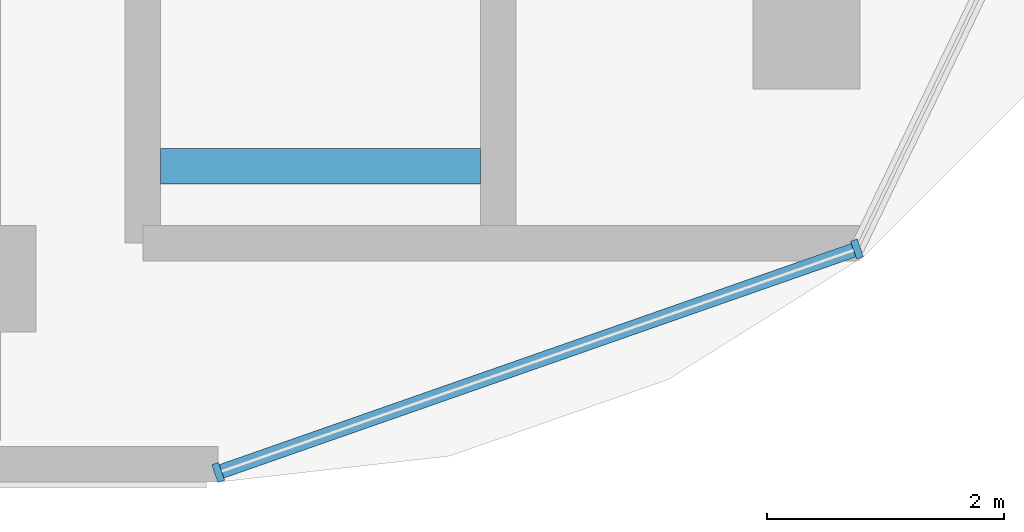
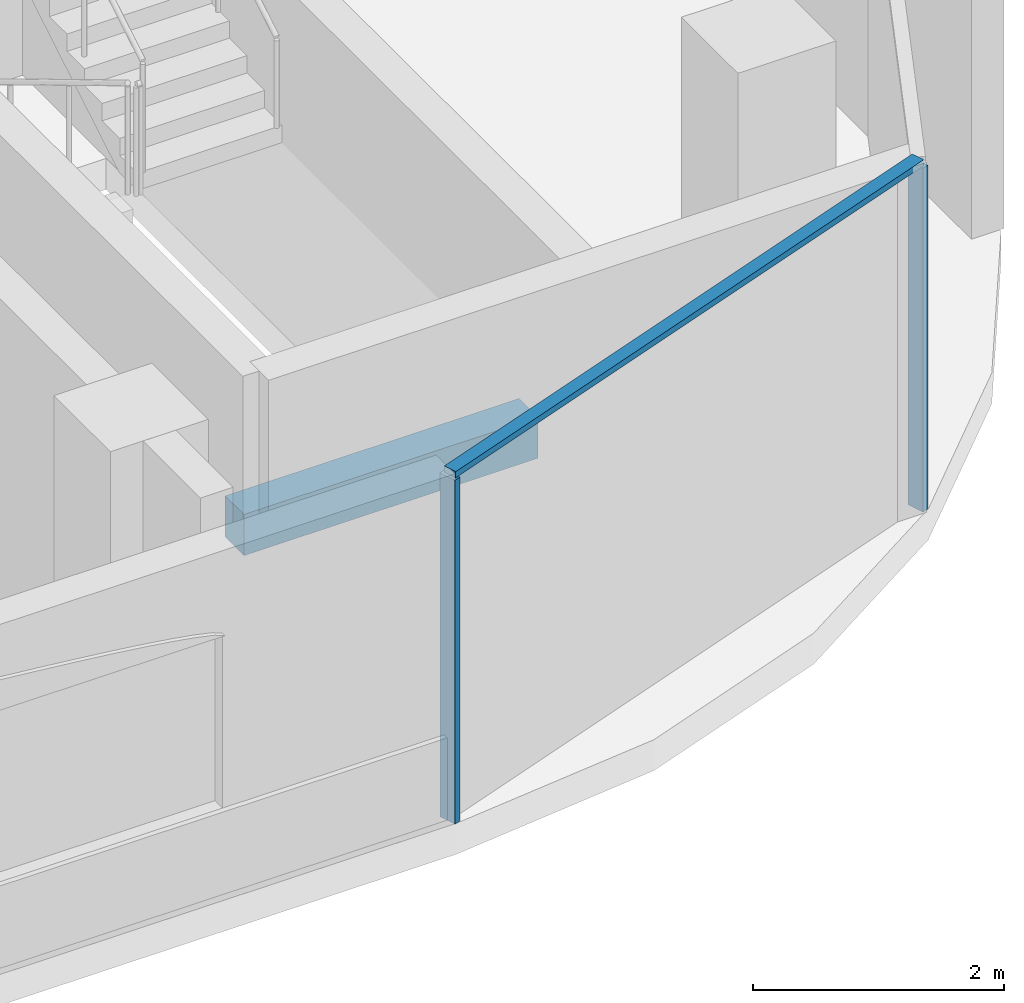
# One storey, part 3 of 19: 3 members, 1 beam, 1 element without a shape of its own.
"""IFC4 building model written with IfcOpenShell, lengths in metres."""

from ifc_helpers import new_model, si_unit, direction, frame, origin, origin_2d, place, context, subcontext, project, spatial, rectangle, extrude, material, material_profile, profile_set, type_object, element, aggregate, save


model = new_model("IFC4")

# Units and contexts
model_context = context("Model", 3, precision=1e-05, world=origin(), true_north=direction((0.0, 1.0)))
body_context = subcontext(model_context, "Body", "Model", "MODEL_VIEW")
ifc_project = project(units=[si_unit("LENGTHUNIT", "METRE"), si_unit("AREAUNIT", "SQUARE_METRE"), si_unit("VOLUMEUNIT", "CUBIC_METRE"), si_unit("PLANEANGLEUNIT", "RADIAN"), si_unit("MASSUNIT", "GRAM", prefix="KILO")], contexts=[model_context])

# Site, building, storey
site_placement = place(None, origin())
site = spatial("IfcSite", under=ifc_project, at=site_placement, CompositionType="ELEMENT")
building_placement = place(site_placement, origin())
building = spatial("IfcBuilding", under=site, at=building_placement, Name="Ogive Portal Towers", CompositionType="ELEMENT")
storey_placement = place(building_placement, frame((0.0, 0.0, 203.199951171875)))
storey = spatial("IfcBuildingStorey", under=building, at=storey_placement, Name="L50", CompositionType="ELEMENT", Elevation=203.199951171875)

# Beam
ifc_material_1 = material(Name="Concrete C40/50", Category="concrete")
ifc_material_profile_1 = material_profile(ifc_material_1, rectangle(XDim=0.300048828125, YDim=0.39990234375, at=origin_2d()), Name="RC 300x400")
ifc_profile_set_1 = profile_set([ifc_material_profile_1], Name="Concrete C40/50")
beam_type = type_object("IfcBeamType", Name="BEAM RC 300x400", PredefinedType="BEAM", material=ifc_profile_set_1)
beam_placement = place(storey_placement, frame((87.0, 22.449951171875, 1.449951171875), z_axis=(1.0, 0.0, 0.0), x_axis=(0.0, 1.0, 0.0)))
element("IfcBeam", 1, at=beam_placement, inside=storey, type_object=beam_type, Name="Landing beam L50", PredefinedType="BEAM", context=body_context, shape_type="SweptSolid", body=[
    extrude(rectangle(XDim=0.300048828125, YDim=0.39990234375, at=origin_2d()), origin(), (0.0, 0.0, 1.0), 2.699951171875),
])

# Curtain wall, members
ifc_material_2 = material(Name="Glass, clear low-iron insulated glazing", Category="glass")
curtain_wall_type = type_object("IfcCurtainWallType", Name="CW FRONT RIBBON 4500", PredefinedType="NOTDEFINED", material=ifc_material_2)
curtain_wall_placement = place(storey_placement, origin())
curtain_wall = element("IfcCurtainWall", 2, at=curtain_wall_placement, inside=storey, type_object=curtain_wall_type, Name="A:L50:f08:cwa", PredefinedType="NOTDEFINED")
ifc_material_3 = material(Name="Aluminium 6063 anodised", Category="aluminium")
ifc_material_profile_2 = material_profile(ifc_material_3, rectangle(XDim=0.159912109375, YDim=0.06005859375, at=origin_2d()), Name="AL 60x160")
ifc_profile_set_2 = profile_set([ifc_material_profile_2], Name="Aluminium 6063 anodised")
member_type_1 = type_object("IfcMemberType", Name="CW MULLION 60x160", PredefinedType="MULLION", material=ifc_profile_set_2)
member_1_placement = place(storey_placement, frame((87.486328125, 19.864990234375, 0.0), z_axis=(0.0, 0.0, 1.0), x_axis=(-0.33027906196, 0.943883330307, 0.0)))
member_1 = element("IfcMember", 3, at=member_1_placement, type_object=member_type_1, Name="mullion", PredefinedType="MULLION", context=body_context, shape_type="SweptSolid", body=[
    extrude(rectangle(XDim=0.159912109375, YDim=0.06005859375, at=origin_2d()), origin(), (0.0, 0.0, 1.0), 3.340087890625),
])
member_2_placement = place(storey_placement, frame((92.8759765625, 21.7509765625, 0.0), z_axis=(0.0, 0.0, 1.0), x_axis=(-0.33027906196, 0.943883330307, 0.0)))
member_2 = element("IfcMember", 4, at=member_2_placement, type_object=member_type_1, Name="mullion", PredefinedType="MULLION", context=body_context, shape_type="SweptSolid", body=[
    extrude(rectangle(XDim=0.159912109375, YDim=0.06005859375, at=origin_2d()), origin(), (0.0, 0.0, 1.0), 3.340087890625),
])
ifc_material_profile_3 = material_profile(ifc_material_3, rectangle(XDim=0.1201171875, YDim=0.06005859375, at=origin_2d()), Name="AL 120x60")
ifc_profile_set_3 = profile_set([ifc_material_profile_3], Name="Aluminium 6063 anodised")
member_type_2 = type_object("IfcMemberType", Name="CW TRANSOM 60x120", PredefinedType="USERDEFINED", material=ifc_profile_set_3)
member_3_placement = place(storey_placement, frame((87.486328125, 19.864990234375, 3.3701171875), z_axis=(0.943879684746, 0.330289480189, 0.0), x_axis=(-0.330289480189, 0.943879684746, 0.0)))
member_3 = element("IfcMember", 5, at=member_3_placement, type_object=member_type_2, Name="transom", ObjectType="TRANSOM", PredefinedType="USERDEFINED", context=body_context, shape_type="SweptSolid", body=[
    extrude(rectangle(XDim=0.1201171875, YDim=0.06005859375, at=origin_2d()), origin(), (0.0, 0.0, 1.0), 5.710205078125),
])
aggregate(curtain_wall, [member_3, member_1, member_2])

save(model, "model.ifc")
